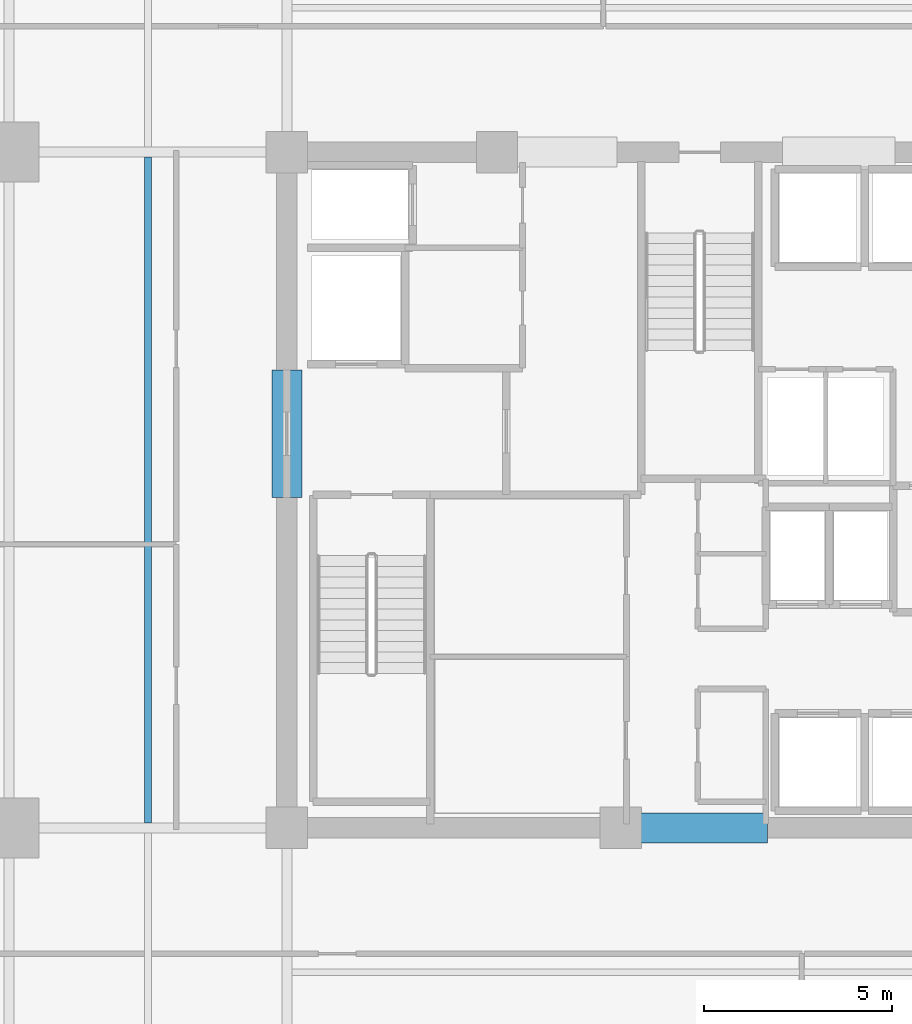
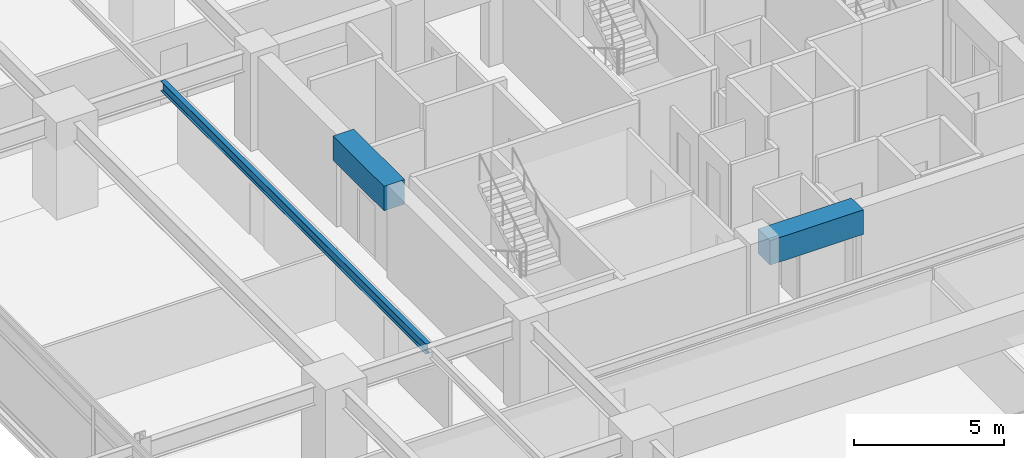
# One storey, part 8 of 24: 3 beams.
"""IFC4 building model written with IfcOpenShell, lengths in metres."""

from ifc_helpers import new_model, si_unit, direction, frame, origin, origin_2d, place, context, subcontext, project, spatial, rectangle, i_section, extrude, material, material_profile, profile_set, type_object, element, save


model = new_model("IFC4")

# Units and contexts
model_context = context("Model", 3, precision=1e-05, world=origin(), true_north=direction((0.0, 1.0)))
body_context = subcontext(model_context, "Body", "Model", "MODEL_VIEW")
ifc_project = project(units=[si_unit("LENGTHUNIT", "METRE"), si_unit("AREAUNIT", "SQUARE_METRE"), si_unit("VOLUMEUNIT", "CUBIC_METRE"), si_unit("PLANEANGLEUNIT", "RADIAN"), si_unit("MASSUNIT", "GRAM", prefix="KILO")], contexts=[model_context])

# Site, building, storey
site_placement = place(None, origin())
site = spatial("IfcSite", under=ifc_project, at=site_placement, CompositionType="ELEMENT")
building_placement = place(site_placement, origin())
building = spatial("IfcBuilding", under=site, at=building_placement, Name="Kovane Verandah Tower", CompositionType="ELEMENT")
storey_placement = place(building_placement, frame((0.0, 0.0, 132.39990234375)))
storey = spatial("IfcBuildingStorey", under=building, at=storey_placement, Name="L30", CompositionType="ELEMENT", Elevation=132.39990234375)

# Beams
ifc_material_1 = material(Name="Concrete C60/75", Category="concrete")
ifc_material_profile_1 = material_profile(ifc_material_1, rectangle(XDim=0.800048828125, YDim=1.0, at=origin_2d()), Name="RCB800x1000")
ifc_profile_set_1 = profile_set([ifc_material_profile_1], Name="Concrete C60/75")
beam_type_1 = type_object("IfcBeamType", Name="BM-LINTEL-800x1000", PredefinedType="LINTEL", material=ifc_profile_set_1)
beam_1_placement = place(storey_placement, frame((38.199951171875, 18.5, 3.275146484375), z_axis=(1.0, 0.0, 0.0), x_axis=(0.0, 1.0, 0.0)))
element("IfcBeam", 1, at=beam_1_placement, inside=storey, type_object=beam_type_1, Name="L30 Core Coupling Lintel CL-S", PredefinedType="LINTEL", context=body_context, shape_type="SweptSolid", body=[
    extrude(rectangle(XDim=0.800048828125, YDim=1.0, at=origin_2d()), origin(), (0.0, 0.0, 1.0), 3.60009765625),
])
beam_2_placement = place(storey_placement, frame((29.0, 27.300048828125, 3.275146484375), z_axis=(0.0, 1.0, 0.0), x_axis=(-1.0, 0.0, 0.0)))
element("IfcBeam", 2, at=beam_2_placement, inside=storey, type_object=beam_type_1, Name="L30 Core Coupling Lintel CL-W", PredefinedType="LINTEL", context=body_context, shape_type="SweptSolid", body=[
    extrude(rectangle(XDim=0.800048828125, YDim=1.0, at=origin_2d()), origin(), (0.0, 0.0, 1.0), 3.39990234375),
])
ifc_material_2 = material(Name="Steel S355", Category="steel")
ifc_material_profile_2 = material_profile(ifc_material_2, i_section(OverallWidth=0.179443359375, OverallDepth=0.412841796875, WebThickness=0.009521484375, FlangeThickness=0.01611328125, FilletRadius=0.01025390625, at=origin_2d()), Name="UB406x178x74")
ifc_profile_set_2 = profile_set([ifc_material_profile_2], Name="Steel S355")
beam_type_2 = type_object("IfcBeamType", Name="JST-UB406x74", PredefinedType="JOIST", material=ifc_profile_set_2)
beam_3_placement = place(storey_placement, frame((25.300048828125, 18.632080078125, 3.568603515625), z_axis=(0.0, 1.0, 0.0), x_axis=(-1.0, 0.0, 0.0)))
element("IfcBeam", 3, at=beam_3_placement, inside=storey, type_object=beam_type_2, Name="L30 Secondary Composite Joist J-W1", PredefinedType="JOIST", context=body_context, shape_type="SweptSolid", body=[
    extrude(i_section(OverallWidth=0.179443359375, OverallDepth=0.412841796875, WebThickness=0.009521484375, FlangeThickness=0.01611328125, FilletRadius=0.01025390625, at=origin_2d()), origin(), (0.0, 0.0, 1.0), 17.73583984375),
])

save(model, "model.ifc")
